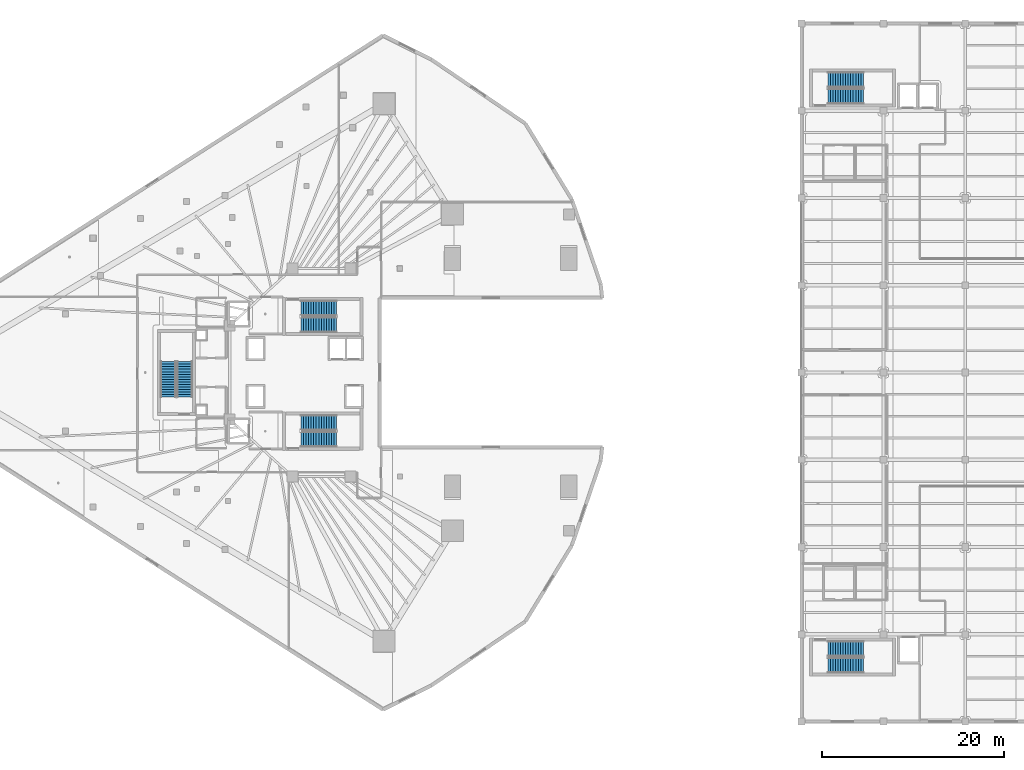
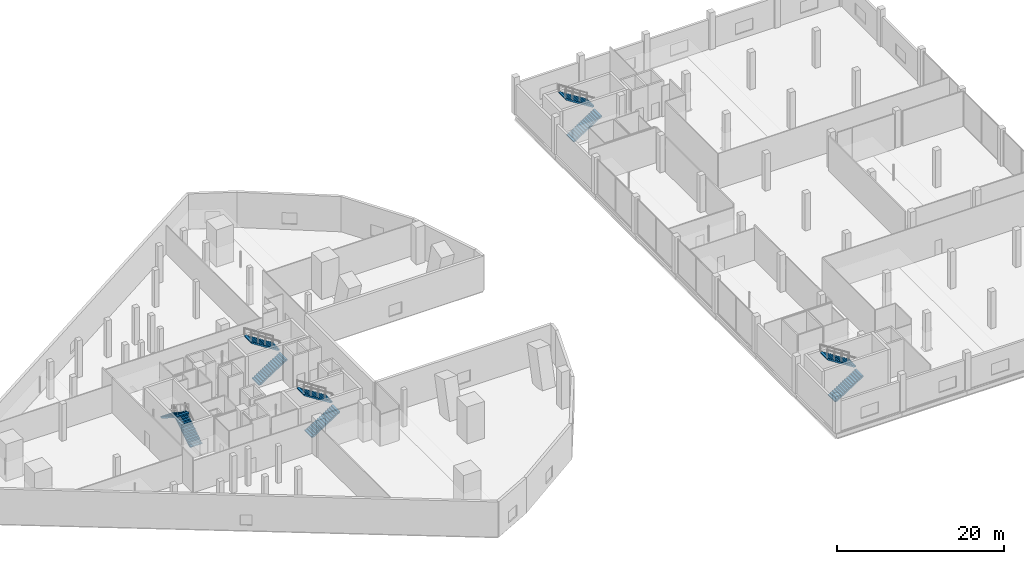
# One storey, part 35 of 47: 10 stair flights, 5 elements without a shape of their own.
"""IFC4 building model written with IfcOpenShell, lengths in metres."""

from ifc_helpers import new_model, si_unit, direction, frame, origin, place, context, subcontext, project, spatial, polyline, outline, extrude, material, layer, layer_set, type_object, element, aggregate, save


model = new_model("IFC4")

# Units and contexts
model_context = context("Model", 3, precision=1e-05, world=origin(), true_north=direction((0.0, 1.0)))
body_context = subcontext(model_context, "Body", "Model", "MODEL_VIEW")
ifc_project = project(units=[si_unit("LENGTHUNIT", "METRE"), si_unit("AREAUNIT", "SQUARE_METRE"), si_unit("VOLUMEUNIT", "CUBIC_METRE"), si_unit("PLANEANGLEUNIT", "RADIAN"), si_unit("MASSUNIT", "GRAM", prefix="KILO")], contexts=[model_context])

# Site, building, storey
site_placement = place(None, origin())
site = spatial("IfcSite", under=ifc_project, at=site_placement, CompositionType="ELEMENT")
building_placement = place(site_placement, origin())
building = spatial("IfcBuilding", under=site, at=building_placement, Name="Qorvath Tower", CompositionType="ELEMENT")
storey_placement = place(building_placement, frame((0.0, 0.0, 6.60009765625)))
storey = spatial("IfcBuildingStorey", under=building, at=storey_placement, Name="L01", CompositionType="ELEMENT", Elevation=6.60009765625)

# Stair, stair flights
ifc_material_1 = material(Name="Concrete C50/60", Category="concrete")
stair_type = type_object("IfcStairType", Name="ST-H540", PredefinedType="HALF_TURN_STAIR", material=ifc_material_1)
stair_1_placement = place(storey_placement, origin())
stair_1 = element("IfcStair", 1, at=stair_1_placement, inside=storey, type_object=stair_type, Name="L01 Library Exit Stair 1", PredefinedType="HALF_TURN_STAIR")
ifc_material_2 = material(Name="Concrete C50/60", Category="concrete")
ifc_layer = layer(ifc_material_2, 0.14990234375)
ifc_layer_set = layer_set([ifc_layer], Name="SF-H540")
stair_flight_type = type_object("IfcStairFlightType", Name="SF-H540", PredefinedType="STRAIGHT", material=ifc_layer_set)
stair_flight_1_placement = place(storey_placement, frame((35.280029296875, 30.389892578125, 0.0), z_axis=(0.0, 0.0, 1.0), x_axis=(1.0, 0.0, 0.0)))
stair_flight_1 = element("IfcStairFlight", 2, at=stair_flight_1_placement, type_object=stair_flight_type, Name="LS1 flight 1", NumberOfRisers=15, NumberOfTreads=14, PredefinedType="STRAIGHT", RiserHeight=0.18, TreadLength=0.28, context=body_context, shape_type="SweptSolid", body=[
    extrude(outline(polyline([(0.0, 0.0), (0.0, 0.179931640625), (0.280029296875, 0.179931640625), (0.280029296875, 0.360107421875), (0.56005859375, 0.360107421875), (0.56005859375, 0.5400390625), (0.840087890625, 0.5400390625), (0.840087890625, 0.719970703125), (1.1201171875, 0.719970703125), (1.1201171875, 0.89990234375), (1.39990234375, 0.89990234375), (1.39990234375, 1.080078125), (1.679931640625, 1.080078125), (1.679931640625, 1.260009765625), (1.9599609375, 1.260009765625), (1.9599609375, 1.43994140625), (2.239990234375, 1.43994140625), (2.239990234375, 1.6201171875), (2.52001953125, 1.6201171875), (2.52001953125, 1.800048828125), (2.800048828125, 1.800048828125), (2.800048828125, 1.97998046875), (3.080078125, 1.97998046875), (3.080078125, 2.159912109375), (3.360107421875, 2.159912109375), (3.360107421875, 2.340087890625), (3.639892578125, 2.340087890625), (3.639892578125, 2.52001953125), (3.919921875, 2.52001953125), (3.919921875, 2.699951171875), (3.919921875, 2.341796875), (0.277099609375, 0.0), (0.0, 0.0)])), frame((0.0, 0.83984375, 0.0), z_axis=(0.0, -1.0, 0.0), x_axis=(1.0, 0.0, 0.0)), (0.0, 0.0, 1.0), 1.679931640625),
])
stair_flight_2_placement = place(storey_placement, frame((39.199951171875, 32.219970703125, 2.699951171875), z_axis=(0.0, 0.0, 1.0), x_axis=(-1.0, 0.0, 0.0)))
stair_flight_2 = element("IfcStairFlight", 3, at=stair_flight_2_placement, type_object=stair_flight_type, Name="LS1 flight 2", NumberOfRisers=15, NumberOfTreads=14, PredefinedType="STRAIGHT", RiserHeight=0.18, TreadLength=0.28, context=body_context, shape_type="SweptSolid", body=[
    extrude(outline(polyline([(0.0, 0.0), (0.0, 0.179931640625), (0.280029296875, 0.179931640625), (0.280029296875, 0.360107421875), (0.56005859375, 0.360107421875), (0.56005859375, 0.5400390625), (0.840087890625, 0.5400390625), (0.840087890625, 0.719970703125), (1.1201171875, 0.719970703125), (1.1201171875, 0.89990234375), (1.39990234375, 0.89990234375), (1.39990234375, 1.080078125), (1.679931640625, 1.080078125), (1.679931640625, 1.260009765625), (1.9599609375, 1.260009765625), (1.9599609375, 1.43994140625), (2.239990234375, 1.43994140625), (2.239990234375, 1.6201171875), (2.52001953125, 1.6201171875), (2.52001953125, 1.800048828125), (2.800048828125, 1.800048828125), (2.800048828125, 1.97998046875), (3.080078125, 1.97998046875), (3.080078125, 2.159912109375), (3.360107421875, 2.159912109375), (3.360107421875, 2.340087890625), (3.639892578125, 2.340087890625), (3.639892578125, 2.52001953125), (3.919921875, 2.52001953125), (3.919921875, 2.699951171875), (3.919921875, 2.341796875), (0.277099609375, 0.0), (0.0, 0.0)])), frame((0.0, 0.83984375, 0.0), z_axis=(0.0, -1.0, 0.0), x_axis=(1.0, 0.0, 0.0)), (0.0, 0.0, 1.0), 1.679931640625),
])
aggregate(stair_1, [stair_flight_1, stair_flight_2])

stair_2_placement = place(storey_placement, origin())
stair_2 = element("IfcStair", 4, at=stair_2_placement, inside=storey, type_object=stair_type, Name="L01 Library Exit Stair 2", PredefinedType="HALF_TURN_STAIR")
stair_flight_3_placement = place(storey_placement, frame((35.280029296875, -32.2099609375, 0.0), z_axis=(0.0, 0.0, 1.0), x_axis=(1.0, 0.0, 0.0)))
stair_flight_3 = element("IfcStairFlight", 5, at=stair_flight_3_placement, type_object=stair_flight_type, Name="LS2 flight 1", NumberOfRisers=15, NumberOfTreads=14, PredefinedType="STRAIGHT", RiserHeight=0.18, TreadLength=0.28, context=body_context, shape_type="SweptSolid", body=[
    extrude(outline(polyline([(0.0, 0.0), (0.0, 0.179931640625), (0.280029296875, 0.179931640625), (0.280029296875, 0.360107421875), (0.56005859375, 0.360107421875), (0.56005859375, 0.5400390625), (0.840087890625, 0.5400390625), (0.840087890625, 0.719970703125), (1.1201171875, 0.719970703125), (1.1201171875, 0.89990234375), (1.39990234375, 0.89990234375), (1.39990234375, 1.080078125), (1.679931640625, 1.080078125), (1.679931640625, 1.260009765625), (1.9599609375, 1.260009765625), (1.9599609375, 1.43994140625), (2.239990234375, 1.43994140625), (2.239990234375, 1.6201171875), (2.52001953125, 1.6201171875), (2.52001953125, 1.800048828125), (2.800048828125, 1.800048828125), (2.800048828125, 1.97998046875), (3.080078125, 1.97998046875), (3.080078125, 2.159912109375), (3.360107421875, 2.159912109375), (3.360107421875, 2.340087890625), (3.639892578125, 2.340087890625), (3.639892578125, 2.52001953125), (3.919921875, 2.52001953125), (3.919921875, 2.699951171875), (3.919921875, 2.341796875), (0.277099609375, 0.0), (0.0, 0.0)])), frame((0.0, 0.83984375, 0.0), z_axis=(0.0, -1.0, 0.0), x_axis=(1.0, 0.0, 0.0)), (0.0, 0.0, 1.0), 1.679931640625),
])
stair_flight_4_placement = place(storey_placement, frame((39.199951171875, -30.3798828125, 2.699951171875), z_axis=(0.0, 0.0, 1.0), x_axis=(-1.0, 0.0, 0.0)))
stair_flight_4 = element("IfcStairFlight", 6, at=stair_flight_4_placement, type_object=stair_flight_type, Name="LS2 flight 2", NumberOfRisers=15, NumberOfTreads=14, PredefinedType="STRAIGHT", RiserHeight=0.18, TreadLength=0.28, context=body_context, shape_type="SweptSolid", body=[
    extrude(outline(polyline([(0.0, 0.0), (0.0, 0.179931640625), (0.280029296875, 0.179931640625), (0.280029296875, 0.360107421875), (0.56005859375, 0.360107421875), (0.56005859375, 0.5400390625), (0.840087890625, 0.5400390625), (0.840087890625, 0.719970703125), (1.1201171875, 0.719970703125), (1.1201171875, 0.89990234375), (1.39990234375, 0.89990234375), (1.39990234375, 1.080078125), (1.679931640625, 1.080078125), (1.679931640625, 1.260009765625), (1.9599609375, 1.260009765625), (1.9599609375, 1.43994140625), (2.239990234375, 1.43994140625), (2.239990234375, 1.6201171875), (2.52001953125, 1.6201171875), (2.52001953125, 1.800048828125), (2.800048828125, 1.800048828125), (2.800048828125, 1.97998046875), (3.080078125, 1.97998046875), (3.080078125, 2.159912109375), (3.360107421875, 2.159912109375), (3.360107421875, 2.340087890625), (3.639892578125, 2.340087890625), (3.639892578125, 2.52001953125), (3.919921875, 2.52001953125), (3.919921875, 2.699951171875), (3.919921875, 2.341796875), (0.277099609375, 0.0), (0.0, 0.0)])), frame((0.0, 0.83984375, 0.0), z_axis=(0.0, -1.0, 0.0), x_axis=(1.0, 0.0, 0.0)), (0.0, 0.0, 1.0), 1.679931640625),
])
aggregate(stair_2, [stair_flight_3, stair_flight_4])

stair_3_placement = place(storey_placement, origin())
stair_3 = element("IfcStair", 7, at=stair_3_placement, inside=storey, type_object=stair_type, Name="L01 Tower Exit Stair 1", PredefinedType="HALF_TURN_STAIR")
stair_flight_5_placement = place(storey_placement, frame((-22.669921875, 5.239990234375, 0.0), z_axis=(0.0, 0.0, 1.0), x_axis=(1.0, 0.0, 0.0)))
stair_flight_5 = element("IfcStairFlight", 8, at=stair_flight_5_placement, type_object=stair_flight_type, Name="TS1 flight 1", NumberOfRisers=15, NumberOfTreads=14, PredefinedType="STRAIGHT", RiserHeight=0.18, TreadLength=0.28, context=body_context, shape_type="SweptSolid", body=[
    extrude(outline(polyline([(0.0, 0.0), (0.0, 0.179931640625), (0.280029296875, 0.179931640625), (0.280029296875, 0.360107421875), (0.56005859375, 0.360107421875), (0.56005859375, 0.5400390625), (0.840087890625, 0.5400390625), (0.840087890625, 0.719970703125), (1.1201171875, 0.719970703125), (1.1201171875, 0.89990234375), (1.39990234375, 0.89990234375), (1.39990234375, 1.080078125), (1.679931640625, 1.080078125), (1.679931640625, 1.260009765625), (1.9599609375, 1.260009765625), (1.9599609375, 1.43994140625), (2.239990234375, 1.43994140625), (2.239990234375, 1.6201171875), (2.52001953125, 1.6201171875), (2.52001953125, 1.800048828125), (2.800048828125, 1.800048828125), (2.800048828125, 1.97998046875), (3.080078125, 1.97998046875), (3.080078125, 2.159912109375), (3.360107421875, 2.159912109375), (3.360107421875, 2.340087890625), (3.639892578125, 2.340087890625), (3.639892578125, 2.52001953125), (3.919921875, 2.52001953125), (3.919921875, 2.699951171875), (3.919921875, 2.341796875), (0.277099609375, 0.0), (0.0, 0.0)])), frame((0.0, 0.83984375, 0.0), z_axis=(0.0, -1.0, 0.0), x_axis=(1.0, 0.0, 0.0)), (0.0, 0.0, 1.0), 1.679931640625),
])
stair_flight_6_placement = place(storey_placement, frame((-18.75, 7.070068359375, 2.699951171875), z_axis=(0.0, 0.0, 1.0), x_axis=(-1.0, 0.0, 0.0)))
stair_flight_6 = element("IfcStairFlight", 9, at=stair_flight_6_placement, type_object=stair_flight_type, Name="TS1 flight 2", NumberOfRisers=15, NumberOfTreads=14, PredefinedType="STRAIGHT", RiserHeight=0.18, TreadLength=0.28, context=body_context, shape_type="SweptSolid", body=[
    extrude(outline(polyline([(0.0, 0.0), (0.0, 0.179931640625), (0.280029296875, 0.179931640625), (0.280029296875, 0.360107421875), (0.56005859375, 0.360107421875), (0.56005859375, 0.5400390625), (0.840087890625, 0.5400390625), (0.840087890625, 0.719970703125), (1.1201171875, 0.719970703125), (1.1201171875, 0.89990234375), (1.39990234375, 0.89990234375), (1.39990234375, 1.080078125), (1.679931640625, 1.080078125), (1.679931640625, 1.260009765625), (1.9599609375, 1.260009765625), (1.9599609375, 1.43994140625), (2.239990234375, 1.43994140625), (2.239990234375, 1.6201171875), (2.52001953125, 1.6201171875), (2.52001953125, 1.800048828125), (2.800048828125, 1.800048828125), (2.800048828125, 1.97998046875), (3.080078125, 1.97998046875), (3.080078125, 2.159912109375), (3.360107421875, 2.159912109375), (3.360107421875, 2.340087890625), (3.639892578125, 2.340087890625), (3.639892578125, 2.52001953125), (3.919921875, 2.52001953125), (3.919921875, 2.699951171875), (3.919921875, 2.341796875), (0.277099609375, 0.0), (0.0, 0.0)])), frame((0.0, 0.83984375, 0.0), z_axis=(0.0, -1.0, 0.0), x_axis=(1.0, 0.0, 0.0)), (0.0, 0.0, 1.0), 1.679931640625),
])
aggregate(stair_3, [stair_flight_5, stair_flight_6])

stair_4_placement = place(storey_placement, origin())
stair_4 = element("IfcStair", 10, at=stair_4_placement, inside=storey, type_object=stair_type, Name="L01 Tower Exit Stair 2", PredefinedType="HALF_TURN_STAIR")
stair_flight_7_placement = place(storey_placement, frame((-22.669921875, -7.360107421875, 0.0), z_axis=(0.0, 0.0, 1.0), x_axis=(1.0, 0.0, 0.0)))
stair_flight_7 = element("IfcStairFlight", 11, at=stair_flight_7_placement, type_object=stair_flight_type, Name="TS2 flight 1", NumberOfRisers=15, NumberOfTreads=14, PredefinedType="STRAIGHT", RiserHeight=0.18, TreadLength=0.28, context=body_context, shape_type="SweptSolid", body=[
    extrude(outline(polyline([(0.0, 0.0), (0.0, 0.179931640625), (0.280029296875, 0.179931640625), (0.280029296875, 0.360107421875), (0.56005859375, 0.360107421875), (0.56005859375, 0.5400390625), (0.840087890625, 0.5400390625), (0.840087890625, 0.719970703125), (1.1201171875, 0.719970703125), (1.1201171875, 0.89990234375), (1.39990234375, 0.89990234375), (1.39990234375, 1.080078125), (1.679931640625, 1.080078125), (1.679931640625, 1.260009765625), (1.9599609375, 1.260009765625), (1.9599609375, 1.43994140625), (2.239990234375, 1.43994140625), (2.239990234375, 1.6201171875), (2.52001953125, 1.6201171875), (2.52001953125, 1.800048828125), (2.800048828125, 1.800048828125), (2.800048828125, 1.97998046875), (3.080078125, 1.97998046875), (3.080078125, 2.159912109375), (3.360107421875, 2.159912109375), (3.360107421875, 2.340087890625), (3.639892578125, 2.340087890625), (3.639892578125, 2.52001953125), (3.919921875, 2.52001953125), (3.919921875, 2.699951171875), (3.919921875, 2.341796875), (0.277099609375, 0.0), (0.0, 0.0)])), frame((0.0, 0.83984375, 0.0), z_axis=(0.0, -1.0, 0.0), x_axis=(1.0, 0.0, 0.0)), (0.0, 0.0, 1.0), 1.679931640625),
])
stair_flight_8_placement = place(storey_placement, frame((-18.75, -5.530029296875, 2.699951171875), z_axis=(0.0, 0.0, 1.0), x_axis=(-1.0, 0.0, 0.0)))
stair_flight_8 = element("IfcStairFlight", 12, at=stair_flight_8_placement, type_object=stair_flight_type, Name="TS2 flight 2", NumberOfRisers=15, NumberOfTreads=14, PredefinedType="STRAIGHT", RiserHeight=0.18, TreadLength=0.28, context=body_context, shape_type="SweptSolid", body=[
    extrude(outline(polyline([(0.0, 0.0), (0.0, 0.179931640625), (0.280029296875, 0.179931640625), (0.280029296875, 0.360107421875), (0.56005859375, 0.360107421875), (0.56005859375, 0.5400390625), (0.840087890625, 0.5400390625), (0.840087890625, 0.719970703125), (1.1201171875, 0.719970703125), (1.1201171875, 0.89990234375), (1.39990234375, 0.89990234375), (1.39990234375, 1.080078125), (1.679931640625, 1.080078125), (1.679931640625, 1.260009765625), (1.9599609375, 1.260009765625), (1.9599609375, 1.43994140625), (2.239990234375, 1.43994140625), (2.239990234375, 1.6201171875), (2.52001953125, 1.6201171875), (2.52001953125, 1.800048828125), (2.800048828125, 1.800048828125), (2.800048828125, 1.97998046875), (3.080078125, 1.97998046875), (3.080078125, 2.159912109375), (3.360107421875, 2.159912109375), (3.360107421875, 2.340087890625), (3.639892578125, 2.340087890625), (3.639892578125, 2.52001953125), (3.919921875, 2.52001953125), (3.919921875, 2.699951171875), (3.919921875, 2.341796875), (0.277099609375, 0.0), (0.0, 0.0)])), frame((0.0, 0.83984375, 0.0), z_axis=(0.0, -1.0, 0.0), x_axis=(1.0, 0.0, 0.0)), (0.0, 0.0, 1.0), 1.679931640625),
])
aggregate(stair_4, [stair_flight_7, stair_flight_8])

stair_5_placement = place(storey_placement, origin())
stair_5 = element("IfcStair", 13, at=stair_5_placement, inside=storey, type_object=stair_type, Name="L01 Tower Exit Stair 3", PredefinedType="HALF_TURN_STAIR")
stair_flight_9_placement = place(storey_placement, frame((-35.43994140625, -2.719970703125, 0.0), z_axis=(0.0, 0.0, 1.0), x_axis=(0.0, 1.0, 0.0)))
stair_flight_9 = element("IfcStairFlight", 14, at=stair_flight_9_placement, type_object=stair_flight_type, Name="TS3 flight 1", NumberOfRisers=15, NumberOfTreads=14, PredefinedType="STRAIGHT", RiserHeight=0.18, TreadLength=0.28, context=body_context, shape_type="SweptSolid", body=[
    extrude(outline(polyline([(0.0, 0.0), (0.0, 0.179931640625), (0.280029296875, 0.179931640625), (0.280029296875, 0.360107421875), (0.56005859375, 0.360107421875), (0.56005859375, 0.5400390625), (0.840087890625, 0.5400390625), (0.840087890625, 0.719970703125), (1.1201171875, 0.719970703125), (1.1201171875, 0.89990234375), (1.39990234375, 0.89990234375), (1.39990234375, 1.080078125), (1.679931640625, 1.080078125), (1.679931640625, 1.260009765625), (1.9599609375, 1.260009765625), (1.9599609375, 1.43994140625), (2.239990234375, 1.43994140625), (2.239990234375, 1.6201171875), (2.52001953125, 1.6201171875), (2.52001953125, 1.800048828125), (2.800048828125, 1.800048828125), (2.800048828125, 1.97998046875), (3.080078125, 1.97998046875), (3.080078125, 2.159912109375), (3.360107421875, 2.159912109375), (3.360107421875, 2.340087890625), (3.639892578125, 2.340087890625), (3.639892578125, 2.52001953125), (3.919921875, 2.52001953125), (3.919921875, 2.699951171875), (3.919921875, 2.341796875), (0.277099609375, 0.0), (0.0, 0.0)])), frame((0.0, 0.83984375, 0.0), z_axis=(0.0, -1.0, 0.0), x_axis=(1.0, 0.0, 0.0)), (0.0, 0.0, 1.0), 1.679931640625),
])
stair_flight_10_placement = place(storey_placement, frame((-37.27001953125, 1.199951171875, 2.699951171875), z_axis=(0.0, 0.0, 1.0), x_axis=(0.0, -1.0, 0.0)))
stair_flight_10 = element("IfcStairFlight", 15, at=stair_flight_10_placement, type_object=stair_flight_type, Name="TS3 flight 2", NumberOfRisers=15, NumberOfTreads=14, PredefinedType="STRAIGHT", RiserHeight=0.18, TreadLength=0.28, context=body_context, shape_type="SweptSolid", body=[
    extrude(outline(polyline([(0.0, 0.0), (0.0, 0.179931640625), (0.280029296875, 0.179931640625), (0.280029296875, 0.360107421875), (0.56005859375, 0.360107421875), (0.56005859375, 0.5400390625), (0.840087890625, 0.5400390625), (0.840087890625, 0.719970703125), (1.1201171875, 0.719970703125), (1.1201171875, 0.89990234375), (1.39990234375, 0.89990234375), (1.39990234375, 1.080078125), (1.679931640625, 1.080078125), (1.679931640625, 1.260009765625), (1.9599609375, 1.260009765625), (1.9599609375, 1.43994140625), (2.239990234375, 1.43994140625), (2.239990234375, 1.6201171875), (2.52001953125, 1.6201171875), (2.52001953125, 1.800048828125), (2.800048828125, 1.800048828125), (2.800048828125, 1.97998046875), (3.080078125, 1.97998046875), (3.080078125, 2.159912109375), (3.360107421875, 2.159912109375), (3.360107421875, 2.340087890625), (3.639892578125, 2.340087890625), (3.639892578125, 2.52001953125), (3.919921875, 2.52001953125), (3.919921875, 2.699951171875), (3.919921875, 2.341796875), (0.277099609375, 0.0), (0.0, 0.0)])), frame((0.0, 0.83984375, 0.0), z_axis=(0.0, -1.0, 0.0), x_axis=(1.0, 0.0, 0.0)), (0.0, 0.0, 1.0), 1.679931640625),
])
aggregate(stair_5, [stair_flight_9, stair_flight_10])

save(model, "model.ifc")
